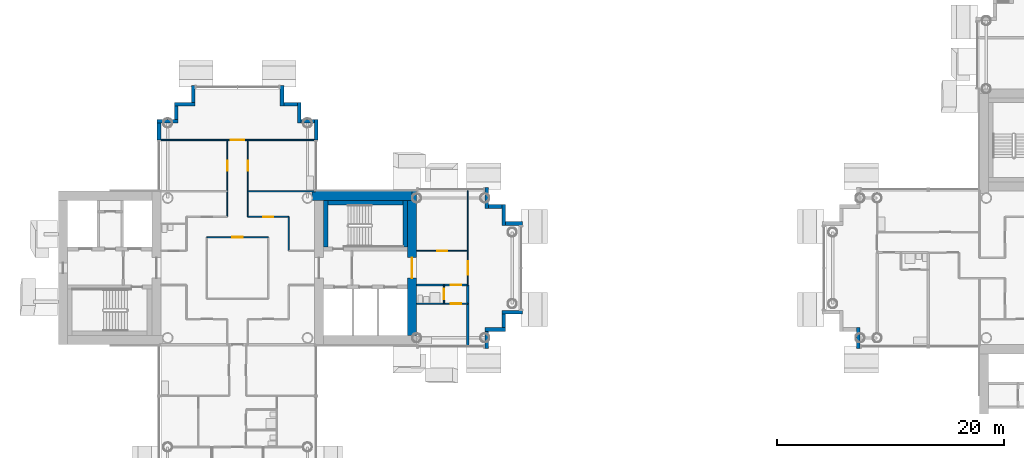
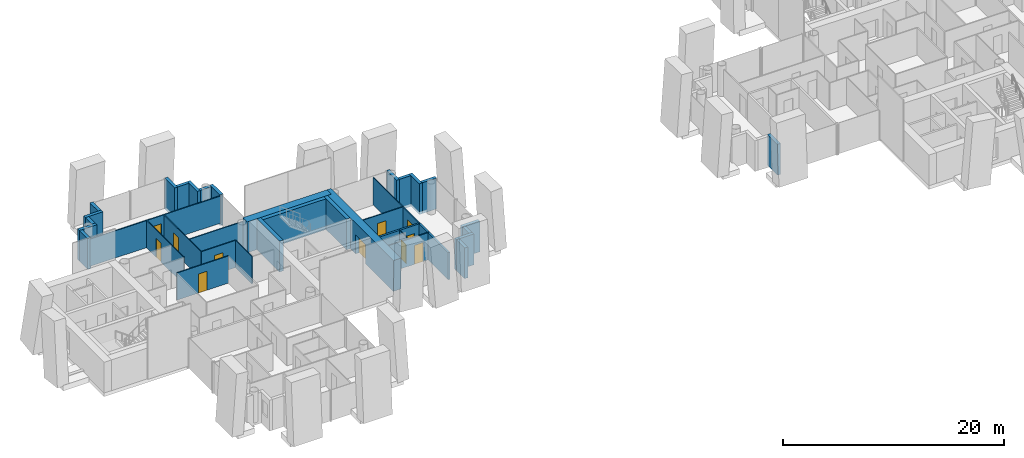
# One storey, part 8 of 19: 37 walls, 11 doors, 11 openings.
"""IFC4 building model written with IfcOpenShell, lengths in metres."""

from ifc_helpers import new_model, si_unit, direction, frame, frame_2d, origin, place, context, subcontext, project, spatial, rectangle, extrude, material, layer, layer_set, type_object, element, fill, save


model = new_model("IFC4")

# Units and contexts
model_context = context("Model", 3, precision=1e-05, world=origin(), true_north=direction((0.0, 1.0)))
body_context = subcontext(model_context, "Body", "Model", "MODEL_VIEW")
ifc_project = project(units=[si_unit("LENGTHUNIT", "METRE"), si_unit("AREAUNIT", "SQUARE_METRE"), si_unit("VOLUMEUNIT", "CUBIC_METRE"), si_unit("PLANEANGLEUNIT", "RADIAN"), si_unit("MASSUNIT", "GRAM", prefix="KILO")], contexts=[model_context])

# Site, building, storey
site_placement = place(None, origin())
site = spatial("IfcSite", under=ifc_project, at=site_placement, CompositionType="ELEMENT")
building_placement = place(site_placement, origin())
building = spatial("IfcBuilding", under=site, at=building_placement, Name="Ipe Terrace Towers", CompositionType="ELEMENT")
storey_placement = place(building_placement, frame((0.0, 0.0, 137.10009765625)))
storey = spatial("IfcBuildingStorey", under=building, at=storey_placement, Name="L37", CompositionType="ELEMENT", Elevation=137.10009765625)

# Walls
ifc_material_1 = material(Name="Concrete C40/50 with buff precast cladding", Category="concrete")
ifc_layer_1 = layer(ifc_material_1, 0.320068359375)
ifc_layer_set_1 = layer_set([ifc_layer_1], Name="BUFF CLADDING WALL 320")
wall_type_1 = type_object("IfcWallType", Name="BUFF CLADDING WALL 320", PredefinedType="STANDARD", material=ifc_layer_set_1)
wall_1_placement = place(storey_placement, frame((-14.090087890625, -7.070068359375, -0.300048828125), z_axis=(0.0, 0.0, 1.0), x_axis=(0.0, 1.0, 0.0)))
element("IfcWall", 1, at=wall_1_placement, inside=storey, type_object=wall_type_1, Name="T1-W-L37-17a wall", PredefinedType="STANDARD", context=body_context, shape_type="SweptSolid", body=[
    extrude(rectangle(XDim=1.5, YDim=0.320068359375, at=frame_2d((0.75, 0.0))), origin(), (0.0, 0.0, 1.0), 3.39990234375),
])
wall_2_placement = place(storey_placement, frame((-14.25, -5.409912109375, -0.300048828125), z_axis=(0.0, 0.0, 1.0), x_axis=(1.0, 0.0, 0.0)))
element("IfcWall", 2, at=wall_2_placement, inside=storey, type_object=wall_type_1, Name="T1-W-L37-18a wall", PredefinedType="STANDARD", context=body_context, shape_type="SweptSolid", body=[
    extrude(rectangle(XDim=1.820068359375, YDim=0.320068359375, at=frame_2d((0.91015625, 0.0))), origin(), (0.0, 0.0, 1.0), 3.39990234375),
])
wall_3_placement = place(storey_placement, frame((-12.590087890625, -5.25, -0.300048828125), z_axis=(0.0, 0.0, 1.0), x_axis=(0.0, 1.0, 0.0)))
element("IfcWall", 3, at=wall_3_placement, inside=storey, type_object=wall_type_1, Name="T1-W-L37-19a wall", PredefinedType="STANDARD", context=body_context, shape_type="SweptSolid", body=[
    extrude(rectangle(XDim=1.179931640625, YDim=0.320068359375, at=frame_2d((0.58984375, 0.0))), origin(), (0.0, 0.0, 1.0), 3.39990234375),
])
wall_4_placement = place(storey_placement, frame((-12.75, -3.909912109375, -0.300048828125), z_axis=(0.0, 0.0, 1.0), x_axis=(1.0, 0.0, 0.0)))
element("IfcWall", 4, at=wall_4_placement, inside=storey, type_object=wall_type_1, Name="T1-W-L37-20a wall", PredefinedType="STANDARD", context=body_context, shape_type="SweptSolid", body=[
    extrude(rectangle(XDim=1.820068359375, YDim=0.320068359375, at=frame_2d((0.91015625, 0.0))), origin(), (0.0, 0.0, 1.0), 3.39990234375),
])
wall_5_placement = place(storey_placement, frame((-10.929931640625, 3.909912109375, -0.300048828125), z_axis=(0.0, 0.0, 1.0), x_axis=(-1.0, 0.0, 0.0)))
element("IfcWall", 5, at=wall_5_placement, inside=storey, type_object=wall_type_1, Name="T1-W-L37-22a wall", PredefinedType="STANDARD", context=body_context, shape_type="SweptSolid", body=[
    extrude(rectangle(XDim=1.5, YDim=0.320068359375, at=frame_2d((0.75, 0.0))), origin(), (0.0, 0.0, 1.0), 3.39990234375),
])
wall_6_placement = place(storey_placement, frame((-12.590087890625, 3.75, -0.300048828125), z_axis=(0.0, 0.0, 1.0), x_axis=(0.0, 1.0, 0.0)))
element("IfcWall", 6, at=wall_6_placement, inside=storey, type_object=wall_type_1, Name="T1-W-L37-23a wall", PredefinedType="STANDARD", context=body_context, shape_type="SweptSolid", body=[
    extrude(rectangle(XDim=1.820068359375, YDim=0.320068359375, at=frame_2d((0.91015625, 0.0))), origin(), (0.0, 0.0, 1.0), 3.39990234375),
])
wall_7_placement = place(storey_placement, frame((-12.75, 5.409912109375, -0.300048828125), z_axis=(0.0, 0.0, 1.0), x_axis=(-1.0, 0.0, 0.0)))
element("IfcWall", 7, at=wall_7_placement, inside=storey, type_object=wall_type_1, Name="T1-W-L37-24a wall", PredefinedType="STANDARD", context=body_context, shape_type="SweptSolid", body=[
    extrude(rectangle(XDim=1.179931640625, YDim=0.320068359375, at=frame_2d((0.58984375, 0.0))), origin(), (0.0, 0.0, 1.0), 3.39990234375),
])
for number, where, z_axis, x_axis, name in (
    (8, (-14.090087890625, 5.25, -0.300048828125), (0.0, 0.0, 1.0), (0.0, 1.0, 0.0), "T1-W-L37-25a wall"),
    (9, (-29.090087890625, 11.25, -0.300048828125), (0.0, 0.0, 1.0), (0.0, 1.0, 0.0), "T1-W-L37-29a wall"),
):
    element("IfcWall", number, at=place(storey_placement, frame(where, z_axis=z_axis, x_axis=x_axis)), inside=storey, type_object=wall_type_1, Name=name, PredefinedType="STANDARD", context=body_context, shape_type="SweptSolid", body=[
        extrude(rectangle(XDim=1.820068359375, YDim=0.320068359375, at=frame_2d((0.91015625, 0.0))), origin(), (0.0, 0.0, 1.0), 3.39990234375),
    ])
wall_8_placement = place(storey_placement, frame((-29.25, 12.909912109375, -0.300048828125), z_axis=(0.0, 0.0, 1.0), x_axis=(-1.0, 0.0, 0.0)))
element("IfcWall", 10, at=wall_8_placement, inside=storey, type_object=wall_type_1, Name="T1-W-L37-30a wall", PredefinedType="STANDARD", context=body_context, shape_type="SweptSolid", body=[
    extrude(rectangle(XDim=1.179931640625, YDim=0.320068359375, at=frame_2d((0.58984375, 0.0))), origin(), (0.0, 0.0, 1.0), 3.39990234375),
])
wall_9_placement = place(storey_placement, frame((-30.590087890625, 12.75, -0.300048828125), z_axis=(0.0, 0.0, 1.0), x_axis=(0.0, 1.0, 0.0)))
element("IfcWall", 11, at=wall_9_placement, inside=storey, type_object=wall_type_1, Name="T1-W-L37-31a wall", PredefinedType="STANDARD", context=body_context, shape_type="SweptSolid", body=[
    extrude(rectangle(XDim=1.820068359375, YDim=0.320068359375, at=frame_2d((0.91015625, 0.0))), origin(), (0.0, 0.0, 1.0), 3.39990234375),
])
wall_10_placement = place(storey_placement, frame((-30.75, 14.409912109375, -0.300048828125), z_axis=(0.0, 0.0, 1.0), x_axis=(-1.0, 0.0, 0.0)))
element("IfcWall", 12, at=wall_10_placement, inside=storey, type_object=wall_type_1, Name="T1-W-L37-32a wall", PredefinedType="STANDARD", context=body_context, shape_type="SweptSolid", body=[
    extrude(rectangle(XDim=1.179931640625, YDim=0.320068359375, at=frame_2d((0.58984375, 0.0))), origin(), (0.0, 0.0, 1.0), 3.39990234375),
])
wall_11_placement = place(storey_placement, frame((-32.090087890625, 14.25, -0.300048828125), z_axis=(0.0, 0.0, 1.0), x_axis=(0.0, 1.0, 0.0)))
element("IfcWall", 13, at=wall_11_placement, inside=storey, type_object=wall_type_1, Name="T1-W-L37-33a wall", PredefinedType="STANDARD", context=body_context, shape_type="SweptSolid", body=[
    extrude(rectangle(XDim=1.820068359375, YDim=0.320068359375, at=frame_2d((0.91015625, 0.0))), origin(), (0.0, 0.0, 1.0), 3.39990234375),
])
wall_12_placement = place(storey_placement, frame((-39.909912109375, 16.070068359375, -0.300048828125), z_axis=(0.0, 0.0, 1.0), x_axis=(0.0, -1.0, 0.0)))
element("IfcWall", 14, at=wall_12_placement, inside=storey, type_object=wall_type_1, Name="T1-W-L37-35a wall", PredefinedType="STANDARD", context=body_context, shape_type="SweptSolid", body=[
    extrude(rectangle(XDim=1.5, YDim=0.320068359375, at=frame_2d((0.75, 0.0))), origin(), (0.0, 0.0, 1.0), 3.39990234375),
])
wall_13_placement = place(storey_placement, frame((-39.75, 14.409912109375, -0.300048828125), z_axis=(0.0, 0.0, 1.0), x_axis=(-1.0, 0.0, 0.0)))
element("IfcWall", 15, at=wall_13_placement, inside=storey, type_object=wall_type_1, Name="T1-W-L37-36a wall", PredefinedType="STANDARD", context=body_context, shape_type="SweptSolid", body=[
    extrude(rectangle(XDim=1.820068359375, YDim=0.320068359375, at=frame_2d((0.91015625, 0.0))), origin(), (0.0, 0.0, 1.0), 3.39990234375),
])
wall_14_placement = place(storey_placement, frame((-41.409912109375, 14.25, -0.300048828125), z_axis=(0.0, 0.0, 1.0), x_axis=(0.0, -1.0, 0.0)))
element("IfcWall", 16, at=wall_14_placement, inside=storey, type_object=wall_type_1, Name="T1-W-L37-37a wall", PredefinedType="STANDARD", context=body_context, shape_type="SweptSolid", body=[
    extrude(rectangle(XDim=1.179931640625, YDim=0.320068359375, at=frame_2d((0.58984375, 0.0))), origin(), (0.0, 0.0, 1.0), 3.39990234375),
])
wall_15_placement = place(storey_placement, frame((-41.25, 12.909912109375, -0.300048828125), z_axis=(0.0, 0.0, 1.0), x_axis=(-1.0, 0.0, 0.0)))
element("IfcWall", 17, at=wall_15_placement, inside=storey, type_object=wall_type_1, Name="T1-W-L37-38a wall", PredefinedType="STANDARD", context=body_context, shape_type="SweptSolid", body=[
    extrude(rectangle(XDim=1.820068359375, YDim=0.320068359375, at=frame_2d((0.91015625, 0.0))), origin(), (0.0, 0.0, 1.0), 3.39990234375),
])
wall_16_placement = place(storey_placement, frame((-42.909912109375, 12.75, -0.300048828125), z_axis=(0.0, 0.0, 1.0), x_axis=(0.0, -1.0, 0.0)))
element("IfcWall", 18, at=wall_16_placement, inside=storey, type_object=wall_type_1, Name="T1-W-L37-39a wall", PredefinedType="STANDARD", context=body_context, shape_type="SweptSolid", body=[
    extrude(rectangle(XDim=1.5, YDim=0.320068359375, at=frame_2d((0.75, 0.0))), origin(), (0.0, 0.0, 1.0), 3.39990234375),
])
wall_17_placement = place(storey_placement, frame((18.590087890625, -5.25, -0.300048828125), z_axis=(0.0, 0.0, 1.0), x_axis=(0.0, -1.0, 0.0)))
element("IfcWall", 19, at=wall_17_placement, inside=storey, type_object=wall_type_1, Name="T2-W-L37-38a wall", PredefinedType="STANDARD", context=body_context, shape_type="SweptSolid", body=[
    extrude(rectangle(XDim=1.820068359375, YDim=0.320068359375, at=frame_2d((0.91015625, 0.0))), origin(), (0.0, 0.0, 1.0), 3.39990234375),
])

# Wall, opening, door
ifc_material_2 = material(Name="Gypsum board partition", Category="plasterboard")
ifc_layer_2 = layer(ifc_material_2, 0.10009765625)
ifc_layer_set_2 = layer_set([ifc_layer_2], Name="Gypsum board partition 100 mm")
wall_type_2 = type_object("IfcWallType", Name="Gypsum board partition 100 mm", PredefinedType="PARTITIONING", material=ifc_layer_set_2)
wall_18_placement = place(storey_placement, frame((-36.89990234375, 4.5, 0.0), z_axis=(0.0, 0.0, 1.0), x_axis=(0.0, 1.0, 0.0)))
wall_18 = element("IfcWall", 20, at=wall_18_placement, inside=storey, type_object=wall_type_2, Name="Gypsum board partition T1 L37 W07", PredefinedType="PARTITIONING", context=body_context, shape_type="SweptSolid", body=[
    extrude(rectangle(XDim=6.75, YDim=0.10009765625, at=frame_2d((3.375, 0.0))), origin(), (0.0, 0.0, 1.0), 3.0),
])
opening_1_placement = place(wall_18_placement, frame((4.050048828125, 0.0, 0.0)))
opening_1 = element("IfcOpeningElement", 21, at=opening_1_placement, cuts=wall_18, Name="Opening T1-Z3A-07", PredefinedType="OPENING", context=body_context, shape_type="SweptSolid", body=[
    extrude(rectangle(XDim=0.89990234375, YDim=2.10009765625, at=frame_2d((0.449951171875, 1.050048828125))), frame((0.0, 0.06005859375, 0.0), z_axis=(0.0, -1.0, 0.0), x_axis=(1.0, 0.0, 0.0)), (0.0, 0.0, 1.0), 0.1201171875),
])
ifc_material_3 = material(Name="Timber door leaf", Category="wood")
door_type_1 = type_object("IfcDoorType", Name="Lounge door 900 x 2100", OperationType="NOTDEFINED", PredefinedType="DOOR", material=ifc_material_3)
door_1_placement = place(opening_1_placement, origin())
door_1 = element("IfcDoor", 22, at=door_1_placement, inside=storey, type_object=door_type_1, Name="Lounge door T1-Z3A-07", OperationType="SINGLE_SWING_LEFT", OverallHeight=2.10009765625, OverallWidth=0.89990234375, PredefinedType="DOOR", context=body_context, shape_type="SweptSolid", body=[
    extrude(rectangle(XDim=0.89990234375, YDim=2.10009765625, at=frame_2d((0.449951171875, 1.050048828125))), frame((0.0, 0.02490234375, 0.0), z_axis=(0.0, -1.0, 0.0), x_axis=(1.0, 0.0, 0.0)), (0.0, 0.0, 1.0), 0.050048828125),
])
fill(opening_1, door_1)

wall_19_placement = place(storey_placement, frame((-35.10009765625, 4.5, 0.0), z_axis=(0.0, 0.0, 1.0), x_axis=(0.0, 1.0, 0.0)))
wall_19 = element("IfcWall", 23, at=wall_19_placement, inside=storey, type_object=wall_type_2, Name="Gypsum board partition T1 L37 W12", PredefinedType="PARTITIONING", context=body_context, shape_type="SweptSolid", body=[
    extrude(rectangle(XDim=6.75, YDim=0.10009765625, at=frame_2d((3.375, 0.0))), origin(), (0.0, 0.0, 1.0), 3.0),
])
opening_2_placement = place(wall_19_placement, frame((4.050048828125, 0.0, 0.0)))
opening_2 = element("IfcOpeningElement", 24, at=opening_2_placement, cuts=wall_19, Name="Opening T1-Z3A-08", PredefinedType="OPENING", context=body_context, shape_type="SweptSolid", body=[
    extrude(rectangle(XDim=0.89990234375, YDim=2.10009765625, at=frame_2d((0.449951171875, 1.050048828125))), frame((0.0, 0.06005859375, 0.0), z_axis=(0.0, -1.0, 0.0), x_axis=(1.0, 0.0, 0.0)), (0.0, 0.0, 1.0), 0.1201171875),
])
door_2_placement = place(opening_2_placement, origin())
door_2 = element("IfcDoor", 25, at=door_2_placement, inside=storey, type_object=door_type_1, Name="Lounge door T1-Z3A-08", OperationType="SINGLE_SWING_RIGHT", OverallHeight=2.10009765625, OverallWidth=0.89990234375, PredefinedType="DOOR", context=body_context, shape_type="SweptSolid", body=[
    extrude(rectangle(XDim=0.89990234375, YDim=2.10009765625, at=frame_2d((0.449951171875, 1.050048828125))), frame((0.0, 0.02490234375, 0.0), z_axis=(0.0, -1.0, 0.0), x_axis=(1.0, 0.0, 0.0)), (0.0, 0.0, 1.0), 0.050048828125),
])
fill(opening_2, door_2)

# Wall
wall_20_placement = place(storey_placement, frame((-31.5, 1.5, 0.0), z_axis=(0.0, 0.0, 1.0), x_axis=(0.0, 1.0, 0.0)))
element("IfcWall", 26, at=wall_20_placement, inside=storey, type_object=wall_type_2, Name="Gypsum board partition T1 L37 W17", PredefinedType="PARTITIONING", context=body_context, shape_type="SweptSolid", body=[
    extrude(rectangle(XDim=3.0, YDim=0.10009765625, at=frame_2d((1.5, 0.0))), origin(), (0.0, 0.0, 1.0), 3.0),
])

# Wall, opening, door
wall_21_placement = place(storey_placement, frame((-17.85009765625, -3.14990234375, 0.0), z_axis=(0.0, 0.0, 1.0), x_axis=(0.0, 1.0, 0.0)))
wall_21 = element("IfcWall", 27, at=wall_21_placement, inside=storey, type_object=wall_type_2, Name="Gypsum board partition T1 L37 W18", PredefinedType="PARTITIONING", context=body_context, shape_type="SweptSolid", body=[
    extrude(rectangle(XDim=1.64990234375, YDim=0.10009765625, at=frame_2d((0.824951171875, 0.0))), origin(), (0.0, 0.0, 1.0), 3.0),
])
opening_3_placement = place(wall_21_placement, frame((0.39990234375, 0.0, 0.0)))
opening_3 = element("IfcOpeningElement", 28, at=opening_3_placement, cuts=wall_21, Name="Opening T1-Z3A-23", PredefinedType="OPENING", context=body_context, shape_type="SweptSolid", body=[
    extrude(rectangle(XDim=0.89990234375, YDim=2.10009765625, at=frame_2d((0.449951171875, 1.050048828125))), frame((0.0, 0.06005859375, 0.0), z_axis=(0.0, -1.0, 0.0), x_axis=(1.0, 0.0, 0.0)), (0.0, 0.0, 1.0), 0.1201171875),
])
ifc_material_4 = material(Name="Timber door leaf", Category="wood")
door_type_2 = type_object("IfcDoorType", Name="Bathroom door 900 x 2100", OperationType="NOTDEFINED", PredefinedType="DOOR", material=ifc_material_4)
door_3_placement = place(opening_3_placement, origin())
door_3 = element("IfcDoor", 29, at=door_3_placement, inside=storey, type_object=door_type_2, Name="Bathroom door T1-Z3A-23", OperationType="SINGLE_SWING_LEFT", OverallHeight=2.10009765625, OverallWidth=0.89990234375, PredefinedType="DOOR", context=body_context, shape_type="SweptSolid", body=[
    extrude(rectangle(XDim=0.89990234375, YDim=2.10009765625, at=frame_2d((0.449951171875, 1.050048828125))), frame((0.0, 0.02490234375, 0.0), z_axis=(0.0, -1.0, 0.0), x_axis=(1.0, 0.0, 0.0)), (0.0, 0.0, 1.0), 0.050048828125),
])
fill(opening_3, door_3)

wall_22_placement = place(storey_placement, frame((-15.75, -1.5, 0.0), z_axis=(0.0, 0.0, 1.0), x_axis=(0.0, 1.0, 0.0)))
wall_22 = element("IfcWall", 30, at=wall_22_placement, inside=storey, type_object=wall_type_2, Name="Gypsum board partition T1 L37 W19", PredefinedType="PARTITIONING", context=body_context, shape_type="SweptSolid", body=[
    extrude(rectangle(XDim=8.35009765625, YDim=0.10009765625, at=frame_2d((4.175048828125, 0.0))), origin(), (0.0, 0.0, 1.0), 3.0),
])
opening_4_placement = place(wall_22_placement, frame((0.89990234375, 0.0, 0.0)))
opening_4 = element("IfcOpeningElement", 31, at=opening_4_placement, cuts=wall_22, Name="Opening T1-Z3A-24", PredefinedType="OPENING", context=body_context, shape_type="SweptSolid", body=[
    extrude(rectangle(XDim=1.199951171875, YDim=2.10009765625, at=frame_2d((0.60009765625, 1.050048828125))), frame((0.0, 0.06005859375, 0.0), z_axis=(0.0, -1.0, 0.0), x_axis=(1.0, 0.0, 0.0)), (0.0, 0.0, 1.0), 0.1201171875),
])
ifc_material_5 = material(Name="Timber door leaf", Category="wood")
door_type_3 = type_object("IfcDoorType", Name="Lounge door 1200 x 2100", OperationType="NOTDEFINED", PredefinedType="DOOR", material=ifc_material_5)
door_4_placement = place(opening_4_placement, origin())
door_4 = element("IfcDoor", 32, at=door_4_placement, inside=storey, type_object=door_type_3, Name="Lounge door T1-Z3A-24", OperationType="SINGLE_SWING_LEFT", OverallHeight=2.10009765625, OverallWidth=1.199951171875, PredefinedType="DOOR", context=body_context, shape_type="SweptSolid", body=[
    extrude(rectangle(XDim=1.199951171875, YDim=2.10009765625, at=frame_2d((0.60009765625, 1.050048828125))), frame((0.0, 0.02490234375, 0.0), z_axis=(0.0, -1.0, 0.0), x_axis=(1.0, 0.0, 0.0)), (0.0, 0.0, 1.0), 0.050048828125),
])
fill(opening_4, door_4)

wall_23_placement = place(storey_placement, frame((-20.25, -3.14990234375, 0.0), z_axis=(0.0, 0.0, 1.0), x_axis=(1.0, 0.0, 0.0)))
wall_23 = element("IfcWall", 33, at=wall_23_placement, inside=storey, type_object=wall_type_2, Name="Gypsum board partition T1 L37 W29", PredefinedType="PARTITIONING", context=body_context, shape_type="SweptSolid", body=[
    extrude(rectangle(XDim=4.5, YDim=0.10009765625, at=frame_2d((2.25, 0.0))), origin(), (0.0, 0.0, 1.0), 3.0),
])
opening_5_placement = place(wall_23_placement, frame((3.0, 0.0, 0.0)))
opening_5 = element("IfcOpeningElement", 34, at=opening_5_placement, cuts=wall_23, Name="Opening T1-Z3A-22", PredefinedType="OPENING", context=body_context, shape_type="SweptSolid", body=[
    extrude(rectangle(XDim=0.89990234375, YDim=2.10009765625, at=frame_2d((0.449951171875, 1.050048828125))), frame((0.0, 0.06005859375, 0.0), z_axis=(0.0, -1.0, 0.0), x_axis=(1.0, 0.0, 0.0)), (0.0, 0.0, 1.0), 0.1201171875),
])
ifc_material_6 = material(Name="Timber door leaf", Category="wood")
door_type_4 = type_object("IfcDoorType", Name="Bedroom door 900 x 2100", OperationType="NOTDEFINED", PredefinedType="DOOR", material=ifc_material_6)
door_5_placement = place(opening_5_placement, origin())
door_5 = element("IfcDoor", 35, at=door_5_placement, inside=storey, type_object=door_type_4, Name="Bedroom door T1-Z3A-22", OperationType="SINGLE_SWING_RIGHT", OverallHeight=2.10009765625, OverallWidth=0.89990234375, PredefinedType="DOOR", context=body_context, shape_type="SweptSolid", body=[
    extrude(rectangle(XDim=0.89990234375, YDim=2.10009765625, at=frame_2d((0.449951171875, 1.050048828125))), frame((0.0, 0.02490234375, 0.0), z_axis=(0.0, -1.0, 0.0), x_axis=(1.0, 0.0, 0.0)), (0.0, 0.0, 1.0), 0.050048828125),
])
fill(opening_5, door_5)

wall_24_placement = place(storey_placement, frame((-20.25, 1.5, 0.0), z_axis=(0.0, 0.0, 1.0), x_axis=(1.0, 0.0, 0.0)))
wall_24 = element("IfcWall", 36, at=wall_24_placement, inside=storey, type_object=wall_type_2, Name="Gypsum board partition T1 L37 W36", PredefinedType="PARTITIONING", context=body_context, shape_type="SweptSolid", body=[
    extrude(rectangle(XDim=4.5, YDim=0.10009765625, at=frame_2d((2.25, 0.0))), origin(), (0.0, 0.0, 1.0), 3.0),
])
opening_6_placement = place(wall_24_placement, frame((1.800048828125, 0.0, 0.0)))
opening_6 = element("IfcOpeningElement", 37, at=opening_6_placement, cuts=wall_24, Name="Opening T1-Z3A-20", PredefinedType="OPENING", context=body_context, shape_type="SweptSolid", body=[
    extrude(rectangle(XDim=0.89990234375, YDim=2.10009765625, at=frame_2d((0.449951171875, 1.050048828125))), frame((0.0, 0.06005859375, 0.0), z_axis=(0.0, -1.0, 0.0), x_axis=(1.0, 0.0, 0.0)), (0.0, 0.0, 1.0), 0.1201171875),
])
door_6_placement = place(opening_6_placement, origin())
door_6 = element("IfcDoor", 38, at=door_6_placement, inside=storey, type_object=door_type_1, Name="Lounge door T1-Z3A-20", OperationType="SINGLE_SWING_LEFT", OverallHeight=2.10009765625, OverallWidth=0.89990234375, PredefinedType="DOOR", context=body_context, shape_type="SweptSolid", body=[
    extrude(rectangle(XDim=0.89990234375, YDim=2.10009765625, at=frame_2d((0.449951171875, 1.050048828125))), frame((0.0, 0.02490234375, 0.0), z_axis=(0.0, -1.0, 0.0), x_axis=(1.0, 0.0, 0.0)), (0.0, 0.0, 1.0), 0.050048828125),
])
fill(opening_6, door_6)

wall_25_placement = place(storey_placement, frame((-38.699951171875, 2.699951171875, 0.0), z_axis=(0.0, 0.0, 1.0), x_axis=(1.0, 0.0, 0.0)))
wall_25 = element("IfcWall", 39, at=wall_25_placement, inside=storey, type_object=wall_type_2, Name="Gypsum board partition T1 L37 W37", PredefinedType="PARTITIONING", context=body_context, shape_type="SweptSolid", body=[
    extrude(rectangle(XDim=5.39990234375, YDim=0.10009765625, at=frame_2d((2.699951171875, 0.0))), origin(), (0.0, 0.0, 1.0), 3.0),
])
opening_7_placement = place(wall_25_placement, frame((2.25, 0.0, 0.0)))
opening_7 = element("IfcOpeningElement", 40, at=opening_7_placement, cuts=wall_25, Name="Opening T1-Z3A-01", PredefinedType="OPENING", context=body_context, shape_type="SweptSolid", body=[
    extrude(rectangle(XDim=0.89990234375, YDim=2.10009765625, at=frame_2d((0.449951171875, 1.050048828125))), frame((0.0, 0.06005859375, 0.0), z_axis=(0.0, -1.0, 0.0), x_axis=(1.0, 0.0, 0.0)), (0.0, 0.0, 1.0), 0.1201171875),
])
door_7_placement = place(opening_7_placement, origin())
door_7 = element("IfcDoor", 41, at=door_7_placement, inside=storey, type_object=door_type_1, Name="Lounge door T1-Z3A-01", OperationType="SINGLE_SWING_RIGHT", OverallHeight=2.10009765625, OverallWidth=0.89990234375, PredefinedType="DOOR", context=body_context, shape_type="SweptSolid", body=[
    extrude(rectangle(XDim=0.89990234375, YDim=2.10009765625, at=frame_2d((0.449951171875, 1.050048828125))), frame((0.0, 0.02490234375, 0.0), z_axis=(0.0, -1.0, 0.0), x_axis=(1.0, 0.0, 0.0)), (0.0, 0.0, 1.0), 0.050048828125),
])
fill(opening_7, door_7)

wall_26_placement = place(storey_placement, frame((-35.10009765625, 4.5, 0.0), z_axis=(0.0, 0.0, 1.0), x_axis=(1.0, 0.0, 0.0)))
wall_26 = element("IfcWall", 42, at=wall_26_placement, inside=storey, type_object=wall_type_2, Name="Gypsum board partition T1 L37 W40", PredefinedType="PARTITIONING", context=body_context, shape_type="SweptSolid", body=[
    extrude(rectangle(XDim=3.60009765625, YDim=0.10009765625, at=frame_2d((1.800048828125, 0.0))), origin(), (0.0, 0.0, 1.0), 3.0),
])
opening_8_placement = place(wall_26_placement, frame((1.35009765625, 0.0, 0.0)))
opening_8 = element("IfcOpeningElement", 43, at=opening_8_placement, cuts=wall_26, Name="Opening T1-Z3A-03", PredefinedType="OPENING", context=body_context, shape_type="SweptSolid", body=[
    extrude(rectangle(XDim=0.89990234375, YDim=2.10009765625, at=frame_2d((0.449951171875, 1.050048828125))), frame((0.0, 0.06005859375, 0.0), z_axis=(0.0, -1.0, 0.0), x_axis=(1.0, 0.0, 0.0)), (0.0, 0.0, 1.0), 0.1201171875),
])
door_8_placement = place(opening_8_placement, origin())
door_8 = element("IfcDoor", 44, at=door_8_placement, inside=storey, type_object=door_type_1, Name="Lounge door T1-Z3A-03", OperationType="SINGLE_SWING_RIGHT", OverallHeight=2.10009765625, OverallWidth=0.89990234375, PredefinedType="DOOR", context=body_context, shape_type="SweptSolid", body=[
    extrude(rectangle(XDim=0.89990234375, YDim=2.10009765625, at=frame_2d((0.449951171875, 1.050048828125))), frame((0.0, 0.02490234375, 0.0), z_axis=(0.0, -1.0, 0.0), x_axis=(1.0, 0.0, 0.0)), (0.0, 0.0, 1.0), 0.050048828125),
])
fill(opening_8, door_8)

# Wall
wall_27_placement = place(storey_placement, frame((-35.10009765625, 6.75, 0.0), z_axis=(0.0, 0.0, 1.0), x_axis=(1.0, 0.0, 0.0)))
element("IfcWall", 45, at=wall_27_placement, inside=storey, type_object=wall_type_2, Name="Gypsum board partition T1 L37 W42", PredefinedType="PARTITIONING", context=body_context, shape_type="SweptSolid", body=[
    extrude(rectangle(XDim=5.9501953125, YDim=0.10009765625, at=frame_2d((2.97509765625, 0.0))), origin(), (0.0, 0.0, 1.0), 3.0),
])

# Wall, opening, door
wall_28_placement = place(storey_placement, frame((-42.85009765625, 11.25, 0.0), z_axis=(0.0, 0.0, 1.0), x_axis=(1.0, 0.0, 0.0)))
wall_28 = element("IfcWall", 46, at=wall_28_placement, inside=storey, type_object=wall_type_2, Name="Gypsum board partition T1 L37 W43", PredefinedType="PARTITIONING", context=body_context, shape_type="SweptSolid", body=[
    extrude(rectangle(XDim=13.7001953125, YDim=0.10009765625, at=frame_2d((6.85009765625, 0.0))), origin(), (0.0, 0.0, 1.0), 3.0),
])
opening_9_placement = place(wall_28_placement, frame((6.25, 0.0, 0.0)))
opening_9 = element("IfcOpeningElement", 47, at=opening_9_placement, cuts=wall_28, Name="Opening T1-Z3A-09", PredefinedType="OPENING", context=body_context, shape_type="SweptSolid", body=[
    extrude(rectangle(XDim=1.199951171875, YDim=2.10009765625, at=frame_2d((0.60009765625, 1.050048828125))), frame((0.0, 0.06005859375, 0.0), z_axis=(0.0, -1.0, 0.0), x_axis=(1.0, 0.0, 0.0)), (0.0, 0.0, 1.0), 0.1201171875),
])
door_9_placement = place(opening_9_placement, origin())
door_9 = element("IfcDoor", 48, at=door_9_placement, inside=storey, type_object=door_type_3, Name="Lounge door T1-Z3A-09", OperationType="SINGLE_SWING_LEFT", OverallHeight=2.10009765625, OverallWidth=1.199951171875, PredefinedType="DOOR", context=body_context, shape_type="SweptSolid", body=[
    extrude(rectangle(XDim=1.199951171875, YDim=2.10009765625, at=frame_2d((0.60009765625, 1.050048828125))), frame((0.0, 0.02490234375, 0.0), z_axis=(0.0, -1.0, 0.0), x_axis=(1.0, 0.0, 0.0)), (0.0, 0.0, 1.0), 0.050048828125),
])
fill(opening_9, door_9)

# Wall
ifc_material_7 = material(Name="Gypsum board party wall", Category="plasterboard")
ifc_layer_3 = layer(ifc_material_7, 0.199951171875)
ifc_layer_set_3 = layer_set([ifc_layer_3], Name="Gypsum board party wall 200 mm")
wall_type_3 = type_object("IfcWallType", Name="Gypsum board party wall 200 mm", PredefinedType="SOLIDWALL", material=ifc_layer_set_3)
wall_29_placement = place(storey_placement, frame((-15.75, -6.85009765625, 0.0), z_axis=(0.0, 0.0, 1.0), x_axis=(0.0, 1.0, 0.0)))
element("IfcWall", 49, at=wall_29_placement, inside=storey, type_object=wall_type_3, Name="Gypsum board party wall T1 L37 W20", PredefinedType="SOLIDWALL", context=body_context, shape_type="SweptSolid", body=[
    extrude(rectangle(XDim=5.35009765625, YDim=0.199951171875, at=frame_2d((2.675048828125, 0.0))), origin(), (0.0, 0.0, 1.0), 3.0),
])

# Wall, opening, door
wall_30_placement = place(storey_placement, frame((-20.25, -1.5, 0.0), z_axis=(0.0, 0.0, 1.0), x_axis=(1.0, 0.0, 0.0)))
wall_30 = element("IfcWall", 50, at=wall_30_placement, inside=storey, type_object=wall_type_3, Name="Gypsum board party wall T1 L37 W33", PredefinedType="SOLIDWALL", context=body_context, shape_type="SweptSolid", body=[
    extrude(rectangle(XDim=4.5, YDim=0.199951171875, at=frame_2d((2.25, 0.0))), origin(), (0.0, 0.0, 1.0), 3.0),
])
opening_10_placement = place(wall_30_placement, frame((3.0, 0.0, 0.0)))
opening_10 = element("IfcOpeningElement", 51, at=opening_10_placement, cuts=wall_30, Name="Opening T1-Z3A-21", PredefinedType="OPENING", context=body_context, shape_type="SweptSolid", body=[
    extrude(rectangle(XDim=0.89990234375, YDim=2.10009765625, at=frame_2d((0.449951171875, 1.050048828125))), frame((0.0, 0.10986328125, 0.0), z_axis=(0.0, -1.0, 0.0), x_axis=(1.0, 0.0, 0.0)), (0.0, 0.0, 1.0), 0.219970703125),
])
ifc_material_8 = material(Name="Fire-rated timber door leaf", Category="wood")
door_type_5 = type_object("IfcDoorType", Name="Flat entrance door 900 x 2100 FD30S", OperationType="NOTDEFINED", PredefinedType="DOOR", material=ifc_material_8)
door_10_placement = place(opening_10_placement, origin())
door_10 = element("IfcDoor", 52, at=door_10_placement, inside=storey, type_object=door_type_5, Name="Flat entrance door T1-Z3A-21", OperationType="SINGLE_SWING_RIGHT", OverallHeight=2.10009765625, OverallWidth=0.89990234375, PredefinedType="DOOR", context=body_context, shape_type="SweptSolid", body=[
    extrude(rectangle(XDim=0.89990234375, YDim=2.10009765625, at=frame_2d((0.449951171875, 1.050048828125))), frame((0.0, 0.02490234375, 0.0), z_axis=(0.0, -1.0, 0.0), x_axis=(1.0, 0.0, 0.0)), (0.0, 0.0, 1.0), 0.050048828125),
])
fill(opening_10, door_10)

# Walls
ifc_material_9 = material(Name="Concrete C50/60", Category="concrete")
ifc_layer_4 = layer(ifc_material_9, 0.39990234375)
ifc_layer_set_4 = layer_set([ifc_layer_4], Name="RW400 CORE INFILL WALL 400 C50-60")
wall_type_4 = type_object("IfcWallType", Name="RW400 CORE INFILL WALL 400 C50-60", PredefinedType="SHEAR", material=ifc_layer_set_4)
wall_31_placement = place(storey_placement, frame((-21.25, 1.85009765625, 0.0), z_axis=(0.0, 0.0, 1.0), x_axis=(0.0, 1.0, 0.0)))
element("IfcWall", 53, at=wall_31_placement, inside=storey, type_object=wall_type_4, Name="Core infill wall T1-C1-far", PredefinedType="SHEAR", context=body_context, shape_type="SweptSolid", body=[
    extrude(rectangle(XDim=4.099853515625, YDim=0.39990234375, at=frame_2d((2.0498046875, 0.0))), origin(), (0.0, 0.0, 1.0), 3.39990234375),
])
wall_32_placement = place(storey_placement, frame((-28.050048828125, 5.75, 0.0), z_axis=(0.0, 0.0, 1.0), x_axis=(1.0, 0.0, 0.0)))
element("IfcWall", 54, at=wall_32_placement, inside=storey, type_object=wall_type_4, Name="Core infill wall T1-C1-back", PredefinedType="SHEAR", context=body_context, shape_type="SweptSolid", body=[
    extrude(rectangle(XDim=6.60009765625, YDim=0.39990234375, at=frame_2d((3.300048828125, 0.0))), origin(), (0.0, 0.0, 1.0), 3.39990234375),
])
wall_33_placement = place(storey_placement, frame((-28.25, 1.85009765625, 0.0), z_axis=(0.0, 0.0, 1.0), x_axis=(0.0, 1.0, 0.0)))
element("IfcWall", 55, at=wall_33_placement, inside=storey, type_object=wall_type_4, Name="Core infill wall T1-C1-near", PredefinedType="SHEAR", context=body_context, shape_type="SweptSolid", body=[
    extrude(rectangle(XDim=4.099853515625, YDim=0.39990234375, at=frame_2d((2.0498046875, 0.0))), origin(), (0.0, 0.0, 1.0), 3.39990234375),
])

# Wall, opening, door
ifc_material_10 = material(Name="Concrete C50/60", Category="concrete")
ifc_layer_5 = layer(ifc_material_10, 0.800048828125)
ifc_layer_set_5 = layer_set([ifc_layer_5], Name="RW800 CORE WALL 800 C50-60")
wall_type_5 = type_object("IfcWallType", Name="RW800 CORE WALL 800 C50-60", PredefinedType="SHEAR", material=ifc_layer_set_5)
wall_34_placement = place(storey_placement, frame((-20.64990234375, -5.949951171875, 0.0), z_axis=(0.0, 0.0, 1.0), x_axis=(0.0, 1.0, 0.0)))
wall_34 = element("IfcWall", 56, at=wall_34_placement, inside=storey, type_object=wall_type_5, Name="Core wall T1-C1-Z3-W02", PredefinedType="SHEAR", context=body_context, shape_type="SweptSolid", body=[
    extrude(rectangle(XDim=12.699951171875, YDim=0.800048828125, at=frame_2d((6.35009765625, 0.0))), origin(), (0.0, 0.0, 1.0), 3.39990234375),
])
opening_11_placement = place(wall_34_placement, frame((5.050048828125, 0.0, 0.0)))
opening_11 = element("IfcOpeningElement", 57, at=opening_11_placement, cuts=wall_34, Name="Opening T1C1-FD", PredefinedType="OPENING", context=body_context, shape_type="SweptSolid", body=[
    extrude(rectangle(XDim=1.800048828125, YDim=2.10009765625, at=frame_2d((0.89990234375, 1.050048828125))), frame((0.0, 0.41015625, 0.0), z_axis=(0.0, -1.0, 0.0), x_axis=(1.0, 0.0, 0.0)), (0.0, 0.0, 1.0), 0.820068359375),
])
ifc_material_11 = material(Name="Fire-rated timber door leaf", Category="wood")
door_type_6 = type_object("IfcDoorType", Name="Fire door 1800 x 2100 FD30S", OperationType="NOTDEFINED", PredefinedType="DOOR", material=ifc_material_11)
door_11_placement = place(opening_11_placement, origin())
door_11 = element("IfcDoor", 58, at=door_11_placement, inside=storey, type_object=door_type_6, Name="Fire door T1C1-FD", OperationType="SINGLE_SWING_LEFT", OverallHeight=2.10009765625, OverallWidth=1.800048828125, PredefinedType="DOOR", context=body_context, shape_type="SweptSolid", body=[
    extrude(rectangle(XDim=1.800048828125, YDim=2.10009765625, at=frame_2d((0.89990234375, 1.050048828125))), frame((0.0, 0.02490234375, 0.0), z_axis=(0.0, -1.0, 0.0), x_axis=(1.0, 0.0, 0.0)), (0.0, 0.0, 1.0), 0.050048828125),
])
fill(opening_11, door_11)

# Wall
wall_35_placement = place(storey_placement, frame((-20.652099609375, 6.35009765625, 0.0), z_axis=(0.0, 0.0, 1.0), x_axis=(-1.0, 0.0, 0.0)))
element("IfcWall", 59, at=wall_35_placement, inside=storey, type_object=wall_type_5, Name="Core wall T1-C1-Z3-W03", PredefinedType="SHEAR", context=body_context, shape_type="SweptSolid", body=[
    extrude(rectangle(XDim=8.7958984375, YDim=0.800048828125, at=frame_2d((4.39794921875, 0.0))), origin(), (0.0, 0.0, 1.0), 3.39990234375),
])

save(model, "model.ifc")
